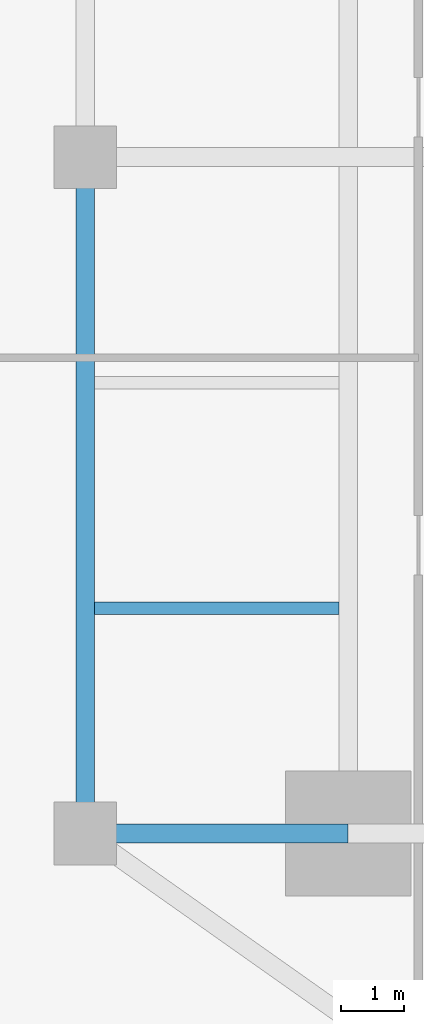
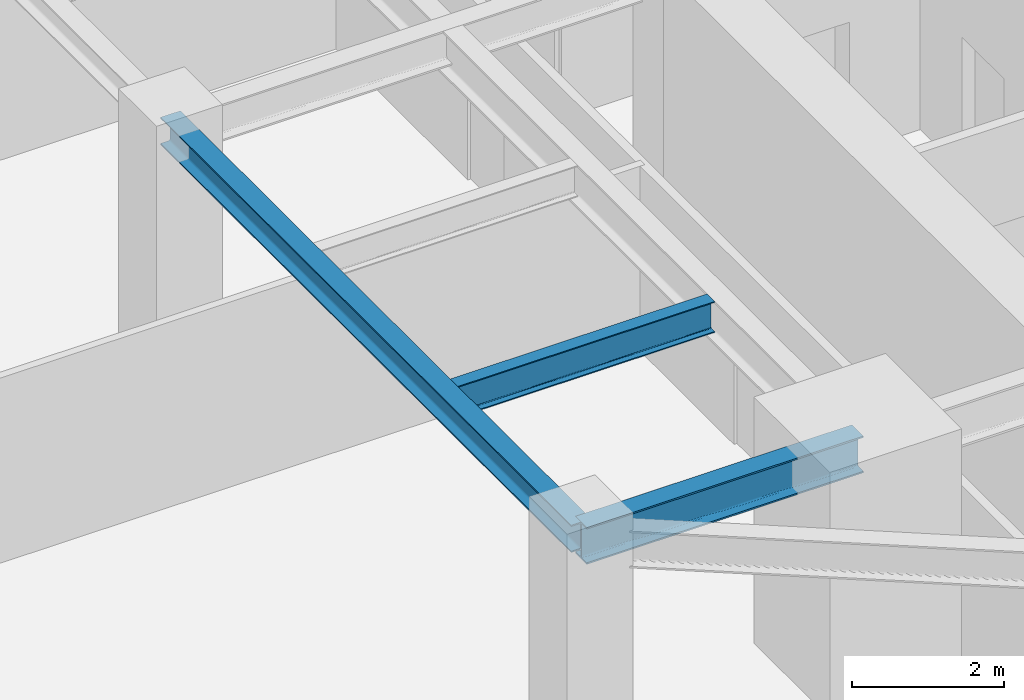
# One storey, part 6 of 26: 3 beams.
"""IFC4 building model written with IfcOpenShell, lengths in metres."""

import ifcopenshell
import ifcopenshell.guid

model = None  # the IFC model being written
_history = None  # IfcOwnerHistory: only IFC2X3 demands one
_inside = {}  # id of a spatial element -> (the spatial element, [elements in it])
_under = {}  # id of a project, library or spatial element -> (it, [spatial elements below it])
_declared = {}  # id of a project -> (the project, [libraries it declares])
_typed = {}  # id of a type object -> (the type object, [elements of that type])
_made_of = {}  # id of a material, layer set ... -> (it, [elements and type objects made of it])


def new_model(schema):
    """Start an empty IFC model of exactly this schema.

    Asked for "IFC4X3", IfcOpenShell would pick the latest addendum, in which some entities
    have other attributes; the version numbers below select the first issue.
    IFC2X3 requires an IfcOwnerHistory on every rooted entity: one is made here for all.
    """
    global model, _history
    if schema == "IFC4X3":
        model = ifcopenshell.file(schema_version=(4, 3, 0, 0))
    else:
        model = ifcopenshell.file(schema=schema)
    _inside.clear()
    _under.clear()
    _declared.clear()
    _typed.clear()
    _made_of.clear()
    _history = None
    if model.schema == "IFC2X3":
        org = make("IfcOrganization", Name="unknown")
        user = make(
            "IfcPersonAndOrganization",
            ThePerson=make("IfcPerson", FamilyName="unknown"),
            TheOrganization=org,
        )
        app = make(
            "IfcApplication",
            ApplicationDeveloper=org,
            Version="unknown",
            ApplicationFullName="unknown",
            ApplicationIdentifier="unknown",
        )
        _history = make(
            "IfcOwnerHistory",
            OwningUser=user,
            OwningApplication=app,
            ChangeAction="ADDED",
            CreationDate=0,
        )
    return model


def make(cls, **values):
    """One entity of the class cls with the attributes given. An attribute that is None is left unset."""
    return model.create_entity(
        cls, **{name: value for name, value in values.items() if value is not None}
    )


def rooted(cls, **values):
    """An entity with a GlobalId (a new one), such as an element, a storey or a relation."""
    return make(cls, GlobalId=ifcopenshell.guid.new(), OwnerHistory=_history, **values)


def si_unit(unit_type, name, prefix=None):
    """IfcSIUnit, for example si_unit("LENGTHUNIT", "METRE", prefix="MILLI")."""
    return make("IfcSIUnit", UnitType=unit_type, Prefix=prefix, Name=name)


def assignment(units):
    """IfcUnitAssignment: the units of a project."""
    return None if units is None else make("IfcUnitAssignment", Units=units)


def point(xyz):
    """IfcCartesianPoint."""
    return None if xyz is None else make("IfcCartesianPoint", Coordinates=xyz)


def direction(xyz):
    """IfcDirection."""
    return None if xyz is None else make("IfcDirection", DirectionRatios=xyz)


def frame(location, z_axis=None, x_axis=None):
    """IfcAxis2Placement3D, a coordinate frame: its origin and axes. An axis left out is left unset."""
    return make(
        "IfcAxis2Placement3D",
        Location=point(location),
        Axis=direction(z_axis),
        RefDirection=direction(x_axis),
    )


def frame_2d(location, x_axis=None):
    """IfcAxis2Placement2D, a coordinate frame in the plane: its origin and x axis."""
    return make(
        "IfcAxis2Placement2D", Location=point(location), RefDirection=direction(x_axis)
    )


def origin():
    """The frame at (0, 0, 0) with its axes left unset."""
    return frame((0.0, 0.0, 0.0))


def origin_2d():
    """The frame at (0, 0) in the plane with its x axis left unset."""
    return frame_2d((0.0, 0.0))


def place(relative_to, where):
    """IfcLocalPlacement: puts the frame where relative to a parent placement (None: the world)."""
    return make(
        "IfcLocalPlacement", PlacementRelTo=relative_to, RelativePlacement=where
    )


def context(
    kind, dimensions, precision=None, world=None, true_north=None, identifier=None
):
    """IfcGeometricRepresentationContext, for example the 3D "Model" context."""
    return make(
        "IfcGeometricRepresentationContext",
        ContextIdentifier=identifier,
        ContextType=kind,
        CoordinateSpaceDimension=dimensions,
        Precision=precision,
        WorldCoordinateSystem=world,
        TrueNorth=true_north,
    )


def subcontext(parent, identifier, kind, view, scale=None):
    """IfcGeometricRepresentationSubContext, for example "Body" below "Model"."""
    return make(
        "IfcGeometricRepresentationSubContext",
        ContextIdentifier=identifier,
        ContextType=kind,
        ParentContext=parent,
        TargetScale=scale,
        TargetView=view,
    )


def project(units=None, contexts=None):
    """IfcProject with its units and contexts."""
    return rooted(
        "IfcProject",
        Name="project",
        RepresentationContexts=contexts,
        UnitsInContext=assignment(units),
    )


def spatial(cls, under=None, at=None, **own):
    """A site, building, storey or space (cls), placed at a placement, below another one or the project."""
    s = rooted(cls, ObjectPlacement=at, **own)
    if under is not None:
        _under.setdefault(under.id(), (under, []))[1].append(s)
    return s


def profile(cls, at=None, kind="AREA", **sizes):
    """A parametric profile (cls). Its sizes go by their IFC names, for example OverallWidth=200.0."""
    return make(cls, ProfileType=kind, Position=at, **sizes)


def i_section(**sizes):
    """IfcIShapeProfileDef."""
    return profile("IfcIShapeProfileDef", **sizes)


def extrude(swept, where, along, depth):
    """IfcExtrudedAreaSolid: the profile swept, set in the frame where, extruded along a direction by depth."""
    return make(
        "IfcExtrudedAreaSolid",
        SweptArea=swept,
        Position=where,
        ExtrudedDirection=direction(along),
        Depth=depth,
    )


def shape(context_of_items, identifier, shape_type, items):
    """IfcShapeRepresentation: the items that make up one representation, for example the "Body"."""
    return make(
        "IfcShapeRepresentation",
        ContextOfItems=context_of_items,
        RepresentationIdentifier=identifier,
        RepresentationType=shape_type,
        Items=items,
    )


def source(mapping_origin, context_of_items, identifier, shape_type, items):
    """IfcRepresentationMap: a shape defined once, which mapped items show again and again."""
    return make(
        "IfcRepresentationMap",
        MappingOrigin=mapping_origin,
        MappedRepresentation=shape(context_of_items, identifier, shape_type, items),
    )


def transform(
    local_origin,
    x_axis=None,
    y_axis=None,
    z_axis=None,
    scale=None,
    scale2=None,
    scale3=None,
    uniform=True,
):
    """IfcCartesianTransformationOperator3D, or its non-uniform kind. x_axis, y_axis, z_axis: its Axis1, 2, 3."""
    if uniform:
        return make(
            "IfcCartesianTransformationOperator3D",
            Axis1=direction(x_axis),
            Axis2=direction(y_axis),
            LocalOrigin=point(local_origin),
            Scale=scale,
            Axis3=direction(z_axis),
        )
    return make(
        "IfcCartesianTransformationOperator3DnonUniform",
        Axis1=direction(x_axis),
        Axis2=direction(y_axis),
        LocalOrigin=point(local_origin),
        Scale=scale,
        Axis3=direction(z_axis),
        Scale2=scale2,
        Scale3=scale3,
    )


def mapped(mapping_source, mapping_target):
    """IfcMappedItem: shows the shape of a source again, moved by a transform."""
    return make(
        "IfcMappedItem", MappingSource=mapping_source, MappingTarget=mapping_target
    )


def material(Name=None, Category=None):
    """IfcMaterial."""
    return make("IfcMaterial", Name=Name, Category=Category)


def material_profile(
    of_material, cross_section, Name=None, Category=None, Priority=None
):
    """IfcMaterialProfile: a cross section and its material."""
    return make(
        "IfcMaterialProfile",
        Name=Name,
        Material=of_material,
        Profile=cross_section,
        Priority=Priority,
        Category=Category,
    )


def profile_set(profiles, Name=None, composite=None):
    """IfcMaterialProfileSet."""
    return make(
        "IfcMaterialProfileSet",
        Name=Name,
        MaterialProfiles=profiles,
        CompositeProfile=composite,
    )


def made_of(thing, what):
    """Note that an element or type object is made of a material, layer set ...; save() writes the relation."""
    if what is not None:
        _made_of.setdefault(what.id(), (what, []))[1].append(thing)
    return thing


def type_object(cls, material=None, **own):
    """A type object (cls), such as IfcWallType, which elements share."""
    return made_of(rooted(cls, **own), material)


def type_shapes(of_type, sources):
    """Give a type object the sources (RepresentationMaps) that its elements show as mapped items."""
    of_type.RepresentationMaps = sources


def element(
    cls,
    number,
    at=None,
    inside=None,
    cuts=None,
    type_object=None,
    material=None,
    context=None,
    identifier="Body",
    shape_type=None,
    held_by="IfcProductDefinitionShape",
    body=None,
    shapes=None,
    **own,
):
    """One element of the class cls, such as IfcWall. Its Tag is "e" and its number.

    at: its placement. inside: the storey or other place that contains it. cuts: it is an
    opening in that element (IfcRelVoidsElement). A single representation is given by context,
    identifier, shape_type and body (its items); several are given by shapes. held_by: the class
    of the entity that holds the representations. save() writes the other relations.
    """
    e = rooted(cls, Tag="e%d" % number, ObjectPlacement=at, **own)
    if body is not None:
        shapes = [shape(context, identifier, shape_type, body)]
    if shapes is not None:
        e.Representation = make(held_by, Representations=shapes)
    if inside is not None:
        _inside.setdefault(inside.id(), (inside, []))[1].append(e)
    if cuts is not None:
        rooted(
            "IfcRelVoidsElement", RelatingBuildingElement=cuts, RelatedOpeningElement=e
        )
    if type_object is not None:
        _typed.setdefault(type_object.id(), (type_object, []))[1].append(e)
    return made_of(e, material)


def aggregate(whole, parts):
    """IfcRelAggregates: a whole, such as a stair, and the parts it consists of."""
    return rooted("IfcRelAggregates", RelatingObject=whole, RelatedObjects=parts)


def save(model, path):
    """Write the relations noted so far, then the file.

    IfcRelAggregates (storeys below a building ...), IfcRelContainedInSpatialStructure (elements
    in a storey), IfcRelDefinesByType, IfcRelAssociatesMaterial and IfcRelDeclares: one each for
    every whole, place, type object, material and project.
    """
    for whole, parts in _under.values():
        aggregate(whole, parts)
    for where, things in _inside.values():
        rooted(
            "IfcRelContainedInSpatialStructure",
            RelatedElements=things,
            RelatingStructure=where,
        )
    for kind, things in _typed.values():
        rooted("IfcRelDefinesByType", RelatedObjects=things, RelatingType=kind)
    for what, things in _made_of.values():
        rooted("IfcRelAssociatesMaterial", RelatedObjects=things, RelatingMaterial=what)
    for by, libraries in _declared.values():
        rooted("IfcRelDeclares", RelatingContext=by, RelatedDefinitions=libraries)
    model.write(path)


model = new_model("IFC4")

# Units and contexts
model_context = context("Model", 3, precision=1e-05, world=origin(), true_north=direction((0.0, 1.0)))
body_context = subcontext(model_context, "Body", "Model", "MODEL_VIEW")
ifc_project = project(units=[si_unit("LENGTHUNIT", "METRE"), si_unit("AREAUNIT", "SQUARE_METRE"), si_unit("VOLUMEUNIT", "CUBIC_METRE"), si_unit("PLANEANGLEUNIT", "RADIAN"), si_unit("MASSUNIT", "GRAM", prefix="KILO")], contexts=[model_context])

# Site, building, storey
site_placement = place(None, origin())
site = spatial("IfcSite", under=ifc_project, at=site_placement, CompositionType="ELEMENT")
building_placement = place(site_placement, origin())
building = spatial("IfcBuilding", under=site, at=building_placement, Name="Krantzveldt Concourse Tower", CompositionType="ELEMENT")
storey_placement = place(building_placement, frame((0.0, 0.0, 133.5)))
storey = spatial("IfcBuildingStorey", under=building, at=storey_placement, Name="L32", CompositionType="ELEMENT", Elevation=133.5)

# Beams
ifc_material = material(Name="Steel S355JR", Category="steel")
ifc_material_profile_1 = material_profile(ifc_material, i_section(OverallWidth=0.300048828125, OverallDepth=0.43994140625, WebThickness=0.011474609375, FlangeThickness=0.02099609375, FilletRadius=0.027099609375, at=origin_2d()), Name="Steel S355JR", Category="steel")
ifc_profile_set_1 = profile_set([ifc_material_profile_1], Name="Steel S355JR - HEA 450")
beam_type_1 = type_object("IfcBeamType", Name="BM-SP-HEA450", PredefinedType="SPANDREL", material=ifc_profile_set_1)
shared_shape_1 = source(origin(), body_context, "Body", "SweptSolid", [
    extrude(i_section(OverallWidth=0.300048828125, OverallDepth=0.43994140625, WebThickness=0.011474609375, FlangeThickness=0.02099609375, FilletRadius=0.027099609375, at=origin_2d()), origin(), (0.0, 0.0, 1.0), 10.800048828125),
])
type_shapes(beam_type_1, [shared_shape_1])
beam_1_placement = place(storey_placement, frame((21.0, 15.89990234375, 3.449951171875), z_axis=(0.0, 1.0, 0.0), x_axis=(-1.0, 0.0, 0.0)))
element("IfcBeam", 1, at=beam_1_placement, inside=storey, type_object=beam_type_1, Name="L32 Tower Girder SP-R01", PredefinedType="SPANDREL", context=body_context, shape_type="MappedRepresentation", body=[
    mapped(shared_shape_1, transform((0.0, 0.0, 0.0), x_axis=(1.0, 0.0, 0.0), y_axis=(0.0, 1.0, 0.0), z_axis=(0.0, 0.0, 1.0), scale=1.0)),
])
ifc_material_profile_2 = material_profile(ifc_material, i_section(OverallWidth=0.300048828125, OverallDepth=0.590087890625, WebThickness=0.012939453125, FlangeThickness=0.02490234375, FilletRadius=0.027099609375, at=origin_2d()), Name="Steel S355JR", Category="steel")
ifc_profile_set_2 = profile_set([ifc_material_profile_2], Name="Steel S355JR - HEA 600")
beam_type_2 = type_object("IfcBeamType", Name="BM-B-HEA600", PredefinedType="BEAM", material=ifc_profile_set_2)
shared_shape_2 = source(origin(), body_context, "Body", "SweptSolid", [
    extrude(i_section(OverallWidth=0.300048828125, OverallDepth=0.590087890625, WebThickness=0.012939453125, FlangeThickness=0.02490234375, FilletRadius=0.027099609375, at=origin_2d()), origin(), (0.0, 0.0, 1.0), 4.199951171875),
])
type_shapes(beam_type_2, [shared_shape_2])
beam_2_placement = place(storey_placement, frame((21.0, 15.89990234375, 3.375), z_axis=(1.0, 0.0, 0.0), x_axis=(0.0, 1.0, 0.0)))
element("IfcBeam", 2, at=beam_2_placement, inside=storey, type_object=beam_type_2, Name="L32 Tower Girder BR-RL1", PredefinedType="BEAM", context=body_context, shape_type="MappedRepresentation", body=[
    mapped(shared_shape_2, transform((0.0, 0.0, 0.0), x_axis=(1.0, 0.0, 0.0), y_axis=(0.0, 1.0, 0.0), z_axis=(0.0, 0.0, 1.0), scale=1.0)),
])
ifc_material_profile_3 = material_profile(ifc_material, i_section(OverallWidth=0.199951171875, OverallDepth=0.5, WebThickness=0.01025390625, FlangeThickness=0.01611328125, FilletRadius=0.02099609375, at=origin_2d()), Name="Steel S355JR", Category="steel")
ifc_profile_set_3 = profile_set([ifc_material_profile_3], Name="Steel S355JR - IPE 500")
beam_type_3 = type_object("IfcBeamType", Name="BM-J-IPE500", PredefinedType="JOIST", material=ifc_profile_set_3)
shared_shape_3 = source(origin(), body_context, "Body", "SweptSolid", [
    extrude(i_section(OverallWidth=0.199951171875, OverallDepth=0.5, WebThickness=0.01025390625, FlangeThickness=0.01611328125, FilletRadius=0.02099609375, at=origin_2d()), origin(), (0.0, 0.0, 1.0), 3.900146484375),
])
type_shapes(beam_type_3, [shared_shape_3])
beam_3_placement = place(storey_placement, frame((21.14990234375, 19.5, 3.419921875), z_axis=(1.0, 0.0, 0.0), x_axis=(0.0, 1.0, 0.0)))
element("IfcBeam", 3, at=beam_3_placement, inside=storey, type_object=beam_type_3, Name="L32 Secondary Floor Joist JW-1", PredefinedType="JOIST", context=body_context, shape_type="MappedRepresentation", body=[
    mapped(shared_shape_3, transform((0.0, 0.0, 0.0), x_axis=(1.0, 0.0, 0.0), y_axis=(0.0, 1.0, 0.0), z_axis=(0.0, 0.0, 1.0), scale=1.0)),
])

save(model, "model.ifc")
